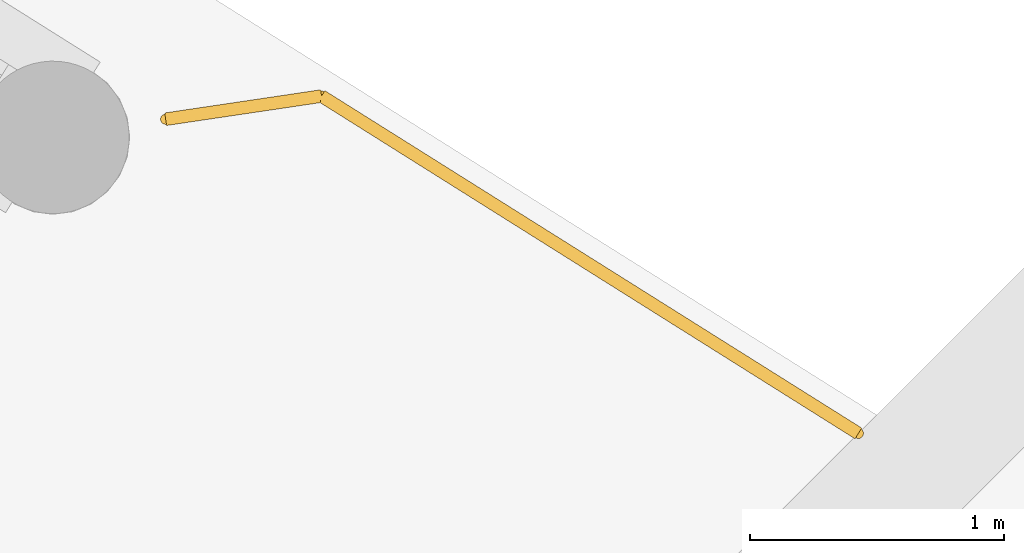
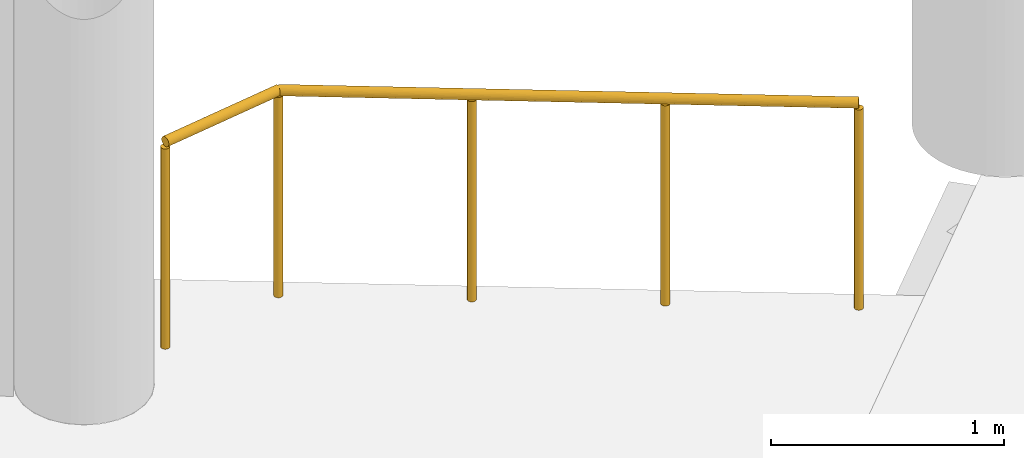
# One storey, part 271 of 271: 1 railing.
"""IFC4 building model written with IfcOpenShell, lengths in metres."""

from ifc_helpers import new_model, si_unit, direction, frame, origin, origin_2d, place, context, subcontext, project, spatial, circle, extrude, material, type_object, element, save


model = new_model("IFC4")

# Units and contexts
model_context = context("Model", 3, precision=1e-05, world=origin(), true_north=direction((0.0, 1.0)))
body_context = subcontext(model_context, "Body", "Model", "MODEL_VIEW")
ifc_project = project(units=[si_unit("LENGTHUNIT", "METRE"), si_unit("AREAUNIT", "SQUARE_METRE"), si_unit("VOLUMEUNIT", "CUBIC_METRE"), si_unit("PLANEANGLEUNIT", "RADIAN"), si_unit("MASSUNIT", "GRAM", prefix="KILO")], contexts=[model_context])

# Site, building, storey
site_placement = place(None, origin())
site = spatial("IfcSite", under=ifc_project, at=site_placement, CompositionType="ELEMENT")
building_placement = place(site_placement, origin())
building = spatial("IfcBuilding", under=site, at=building_placement, Name="Meseta Stadium", CompositionType="ELEMENT")
storey_placement = place(building_placement, frame((0.0, 0.0, 6.5)))
storey = spatial("IfcBuildingStorey", under=building, at=storey_placement, Name="L01", CompositionType="ELEMENT", Elevation=6.5)

# Railing
ifc_material = material(Name="Steel S355", Category="steel")
railing_type = type_object("IfcRailingType", Name="Plate edge guard 1100", PredefinedType="GUARDRAIL", material=ifc_material)
railing_placement = place(storey_placement, frame((89.11328125, 97.4287109375, 0.0)))
element("IfcRailing", 1, at=railing_placement, inside=storey, type_object=railing_type, Name="Gate hall edge guard 14", PredefinedType="GUARDRAIL", context=body_context, shape_type="SweptSolid", body=[
    extrude(circle(Radius=0.02490234375, at=origin_2d()), frame((0.0, 0.0, 1.0751953125), z_axis=(0.989154781044, 0.146876884287, 0.0), x_axis=(-0.146876884287, 0.989154781044, 0.0)), (0.0, 0.0, 1.0), 0.6201171875),
    extrude(circle(Radius=0.02490234375, at=origin_2d()), frame((0.61328125, 0.091064453125, 1.0751953125), z_axis=(0.846698272461, -0.532073336497, 0.0), x_axis=(0.532073336497, 0.846698272461, 0.0)), (0.0, 0.0, 1.0), 2.494873046875),
    extrude(circle(Radius=0.02001953125, at=origin_2d()), origin(), (0.0, 0.0, 1.0), 1.050048828125),
    extrude(circle(Radius=0.02001953125, at=origin_2d()), frame((0.61328125, 0.091064453125, 0.0)), (0.0, 0.0, 1.0), 1.050048828125),
    extrude(circle(Radius=0.02001953125, at=origin_2d()), frame((1.3173828125, -0.351318359375, 0.0)), (0.0, 0.0, 1.0), 1.050048828125),
    extrude(circle(Radius=0.02001953125, at=origin_2d()), frame((2.021484375, -0.7939453125, 0.0)), (0.0, 0.0, 1.0), 1.050048828125),
    extrude(circle(Radius=0.02001953125, at=origin_2d()), frame((2.7255859375, -1.236328125, 0.0)), (0.0, 0.0, 1.0), 1.050048828125),
])

save(model, "model.ifc")
